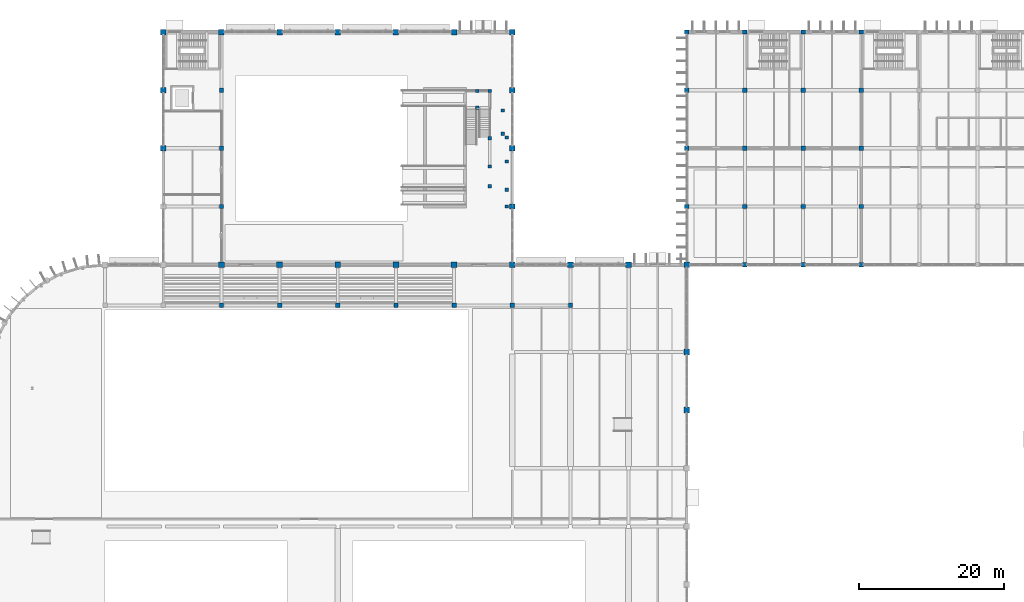
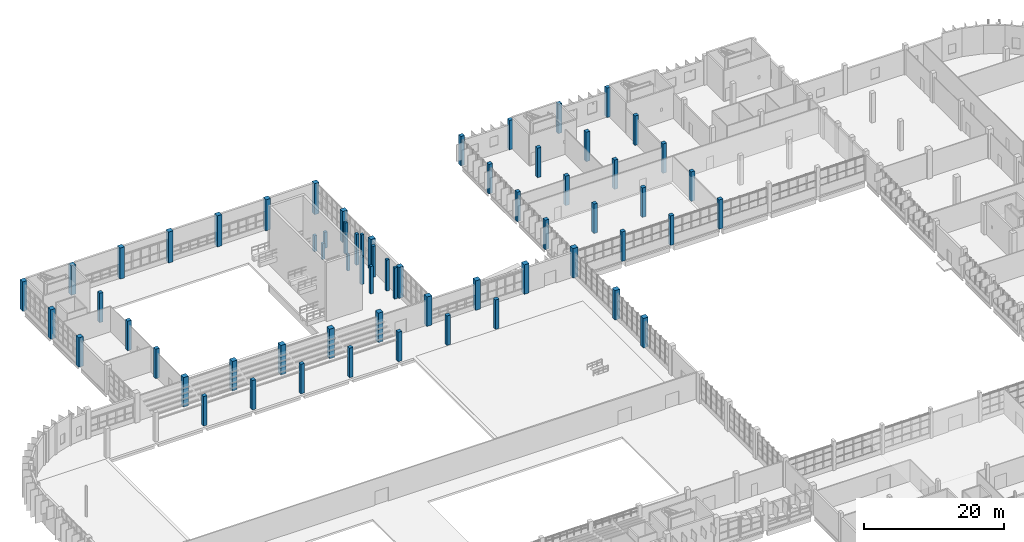
# One storey, part 8 of 103: 64 columns.
"""IFC4 building model written with IfcOpenShell, lengths in metres."""

from ifc_helpers import new_model, si_unit, direction, frame, origin, origin_2d, place, context, subcontext, project, spatial, rectangle, extrude, material, material_profile, profile_set, type_object, element, save


model = new_model("IFC4")

# Units and contexts
model_context = context("Model", 3, precision=1e-05, world=origin(), true_north=direction((0.0, 1.0)))
body_context = subcontext(model_context, "Body", "Model", "MODEL_VIEW")
ifc_project = project(units=[si_unit("LENGTHUNIT", "METRE"), si_unit("AREAUNIT", "SQUARE_METRE"), si_unit("VOLUMEUNIT", "CUBIC_METRE"), si_unit("PLANEANGLEUNIT", "RADIAN"), si_unit("MASSUNIT", "GRAM", prefix="KILO")], contexts=[model_context])

# Site, building, storey
site_placement = place(None, origin())
site = spatial("IfcSite", under=ifc_project, at=site_placement, CompositionType="ELEMENT")
building_placement = place(site_placement, origin())
building = spatial("IfcBuilding", under=site, at=building_placement, Name="Drelvana Railside Aquatics Centre", CompositionType="ELEMENT")
storey_placement = place(building_placement, origin())
storey = spatial("IfcBuildingStorey", under=building, at=storey_placement, Name="L00", CompositionType="ELEMENT", Elevation=0.0)

# Columns
ifc_material = material(Name="Concrete C40/50", Category="concrete")
ifc_material_profile_1 = material_profile(ifc_material, rectangle(XDim=0.449951171875, YDim=0.449951171875, at=origin_2d()), Name="RC 450x450")
ifc_profile_set_1 = profile_set([ifc_material_profile_1], Name="Concrete C40/50")
column_type_1 = type_object("IfcColumnType", Name="STR-COL-RC-450x450", PredefinedType="COLUMN", material=ifc_profile_set_1)
for number, where, z_axis, x_axis, name in (
    (1, (67.199951171875, 105.60009765625, 0.0), (0.0, 0.0, 1.0), (1.0, 0.0, 0.0), "Column C-01 (L00)"),
    (2, (67.199951171875, 107.89990234375, 0.0), (0.0, 0.0, 1.0), (1.0, 0.0, 0.0), "Column C-01 (L00)"),
    (3, (68.89990234375, 101.39990234375, 0.0), (0.0, 0.0, 1.0), (1.0, 0.0, 0.0), "Column C-01 (L00)"),
    (4, (68.89990234375, 107.89990234375, 0.0), (0.0, 0.0, 1.0), (1.0, 0.0, 0.0), "Column C-01 (L00)"),
):
    element("IfcColumn", number, at=place(storey_placement, frame(where, z_axis=z_axis, x_axis=x_axis)), inside=storey, type_object=column_type_1, Name=name, PredefinedType="COLUMN", context=body_context, shape_type="SweptSolid", body=[
        extrude(rectangle(XDim=0.449951171875, YDim=0.449951171875, at=origin_2d()), origin(), (0.0, 0.0, 1.0), 2.780029296875),
    ])
for number, where, z_axis, x_axis, name in (
    (5, (68.89990234375, 94.800048828125, 0.0), (0.0, 0.0, 1.0), (1.0, 0.0, 0.0), "Column C-01 (L00)"),
    (6, (68.89990234375, 97.5, 0.0), (0.0, 0.0, 1.0), (1.0, 0.0, 0.0), "Column C-01 (L00)"),
):
    element("IfcColumn", number, at=place(storey_placement, frame(where, z_axis=z_axis, x_axis=x_axis)), inside=storey, type_object=column_type_1, Name=name, PredefinedType="COLUMN", context=body_context, shape_type="SweptSolid", body=[
        extrude(rectangle(XDim=0.449951171875, YDim=0.449951171875, at=origin_2d()), origin(), (0.0, 0.0, 1.0), 4.780029296875),
    ])
for number, where, z_axis, x_axis, name in (
    (7, (70.699951171875, 102.0, 0.0), (0.0, 0.0, 1.0), (1.0, 0.0, 0.0), "Column C-01 (L00)"),
    (8, (70.699951171875, 105.199951171875, 0.0), (0.0, 0.0, 1.0), (1.0, 0.0, 0.0), "Column C-01 (L00)"),
    (9, (71.25, 92.0, 0.0), (0.0, 0.0, 1.0), (1.0, 0.0, 0.0), "Diving stair east carrier column 92.0 (L00)"),
    (10, (71.25, 94.300048828125, 0.0), (0.0, 0.0, 1.0), (1.0, 0.0, 0.0), "Diving stair east carrier column 94.3 (L00)"),
    (11, (71.25, 98.199951171875, 0.0), (0.0, 0.0, 1.0), (1.0, 0.0, 0.0), "Diving stair east carrier column 98.2 (L00)"),
    (12, (71.25, 101.5, 0.0), (0.0, 0.0, 1.0), (1.0, 0.0, 0.0), "Diving stair east carrier column 101.5 (L00)"),
):
    element("IfcColumn", number, at=place(storey_placement, frame(where, z_axis=z_axis, x_axis=x_axis)), inside=storey, type_object=column_type_1, Name=name, PredefinedType="COLUMN", context=body_context, shape_type="SweptSolid", body=[
        extrude(rectangle(XDim=0.449951171875, YDim=0.449951171875, at=origin_2d()), origin(), (0.0, 0.0, 1.0), 5.39990234375),
    ])
ifc_material_profile_2 = material_profile(ifc_material, rectangle(XDim=0.60009765625, YDim=0.60009765625, at=origin_2d()), Name="RC 600x600")
ifc_profile_set_2 = profile_set([ifc_material_profile_2], Name="Concrete C40/50")
column_type_2 = type_object("IfcColumnType", Name="STR-COL-RC-600x600", PredefinedType="COLUMN", material=ifc_profile_set_2)
for number, where, z_axis, x_axis, name in (
    (13, (32.0, 78.39990234375, 0.0), (0.0, 0.0, 1.0), (1.0, 0.0, 0.0), "Column C-04 (L00)"),
    (14, (40.0, 78.39990234375, 0.0), (0.0, 0.0, 1.0), (1.0, 0.0, 0.0), "Column C-04 (L00)"),
    (15, (48.0, 78.39990234375, 0.0), (0.0, 0.0, 1.0), (1.0, 0.0, 0.0), "Column C-04 (L00)"),
    (16, (56.0, 78.39990234375, 0.0), (0.0, 0.0, 1.0), (1.0, 0.0, 0.0), "Column C-04 (L00)"),
    (17, (64.0, 78.39990234375, 0.0), (0.0, 0.0, 1.0), (1.0, 0.0, 0.0), "Column C-04 (L00)"),
    (18, (72.0, 78.39990234375, 0.0), (0.0, 0.0, 1.0), (1.0, 0.0, 0.0), "Column C-04 (L00)"),
    (19, (80.0, 78.39990234375, 0.0), (0.0, 0.0, 1.0), (1.0, 0.0, 0.0), "Column C-04 (L00)"),
    (20, (32.0, 92.0, 0.0), (0.0, 0.0, 1.0), (1.0, 0.0, 0.0), "Column C-04 (L00)"),
    (21, (32.0, 100.0, 0.0), (0.0, 0.0, 1.0), (1.0, 0.0, 0.0), "Column C-04 (L00)"),
    (22, (32.0, 108.0, 0.0), (0.0, 0.0, 1.0), (1.0, 0.0, 0.0), "Column C-04 (L00)"),
    (23, (96.0, 92.0, 0.0), (0.0, 0.0, 1.0), (1.0, 0.0, 0.0), "Column C-04 (L00)"),
    (24, (96.0, 100.0, 0.0), (0.0, 0.0, 1.0), (1.0, 0.0, 0.0), "Column C-04 (L00)"),
    (25, (96.0, 108.0, 0.0), (0.0, 0.0, 1.0), (1.0, 0.0, 0.0), "Column C-04 (L00)"),
    (26, (96.0, 116.0, 0.0), (0.0, 0.0, 1.0), (1.0, 0.0, 0.0), "Column C-04 (L00)"),
    (27, (104.0, 84.0, 0.0), (0.0, 0.0, 1.0), (1.0, 0.0, 0.0), "Column C-04 (L00)"),
    (28, (104.0, 92.0, 0.0), (0.0, 0.0, 1.0), (1.0, 0.0, 0.0), "Column C-04 (L00)"),
    (29, (104.0, 100.0, 0.0), (0.0, 0.0, 1.0), (1.0, 0.0, 0.0), "Column C-04 (L00)"),
    (30, (104.0, 108.0, 0.0), (0.0, 0.0, 1.0), (1.0, 0.0, 0.0), "Column C-04 (L00)"),
    (31, (104.0, 116.0, 0.0), (0.0, 0.0, 1.0), (1.0, 0.0, 0.0), "Column C-04 (L00)"),
    (32, (112.0, 84.0, 0.0), (0.0, 0.0, 1.0), (1.0, 0.0, 0.0), "Column C-04 (L00)"),
    (33, (112.0, 92.0, 0.0), (0.0, 0.0, 1.0), (1.0, 0.0, 0.0), "Column C-04 (L00)"),
    (34, (112.0, 100.0, 0.0), (0.0, 0.0, 1.0), (1.0, 0.0, 0.0), "Column C-04 (L00)"),
    (35, (112.0, 108.0, 0.0), (0.0, 0.0, 1.0), (1.0, 0.0, 0.0), "Column C-04 (L00)"),
    (36, (112.0, 116.0, 0.0), (0.0, 0.0, 1.0), (1.0, 0.0, 0.0), "Column C-04 (L00)"),
    (37, (120.0, 84.0, 0.0), (0.0, 0.0, 1.0), (1.0, 0.0, 0.0), "Column C-04 (L00)"),
    (38, (120.0, 92.0, 0.0), (0.0, 0.0, 1.0), (1.0, 0.0, 0.0), "Column C-04 (L00)"),
    (39, (120.0, 100.0, 0.0), (0.0, 0.0, 1.0), (1.0, 0.0, 0.0), "Column C-04 (L00)"),
    (40, (120.0, 108.0, 0.0), (0.0, 0.0, 1.0), (1.0, 0.0, 0.0), "Column C-04 (L00)"),
    (41, (120.0, 116.0, 0.0), (0.0, 0.0, 1.0), (1.0, 0.0, 0.0), "Column C-04 (L00)"),
):
    element("IfcColumn", number, at=place(storey_placement, frame(where, z_axis=z_axis, x_axis=x_axis)), inside=storey, type_object=column_type_2, Name=name, PredefinedType="COLUMN", context=body_context, shape_type="SweptSolid", body=[
        extrude(rectangle(XDim=0.60009765625, YDim=0.60009765625, at=origin_2d()), origin(), (0.0, 0.0, 1.0), 5.125),
    ])
ifc_material_profile_3 = material_profile(ifc_material, rectangle(XDim=0.75, YDim=0.75, at=origin_2d()), Name="RC 750x750")
ifc_profile_set_3 = profile_set([ifc_material_profile_3], Name="Concrete C40/50")
column_type_3 = type_object("IfcColumnType", Name="STR-COL-RC-750x750", PredefinedType="COLUMN", material=ifc_profile_set_3)
for number, where, z_axis, x_axis, name in (
    (42, (24.0, 116.0, 0.0), (0.0, 0.0, 1.0), (1.0, 0.0, 0.0), "Column C-07 (L00)"),
    (43, (32.0, 116.0, 0.0), (0.0, 0.0, 1.0), (1.0, 0.0, 0.0), "Column C-07 (L00)"),
):
    element("IfcColumn", number, at=place(storey_placement, frame(where, z_axis=z_axis, x_axis=x_axis)), inside=storey, type_object=column_type_3, Name=name, PredefinedType="COLUMN", context=body_context, shape_type="SweptSolid", body=[
        extrude(rectangle(XDim=0.75, YDim=0.75, at=origin_2d()), origin(), (0.0, 0.0, 1.0), 5.125),
    ])
for number, where, z_axis, x_axis, name in (
    (44, (40.0, 116.0, 0.0), (0.0, 0.0, 1.0), (1.0, 0.0, 0.0), "Column C-07 (L00)"),
    (45, (48.0, 116.0, 0.0), (0.0, 0.0, 1.0), (1.0, 0.0, 0.0), "Column C-07 (L00)"),
    (46, (56.0, 116.0, 0.0), (0.0, 0.0, 1.0), (1.0, 0.0, 0.0), "Column C-07 (L00)"),
    (47, (64.0, 116.0, 0.0), (0.0, 0.0, 1.0), (1.0, 0.0, 0.0), "Column C-07 (L00)"),
    (48, (72.0, 116.0, 0.0), (0.0, 0.0, 1.0), (1.0, 0.0, 0.0), "Column C-07 (L00)"),
    (49, (72.0, 92.0, 0.0), (0.0, 0.0, 1.0), (1.0, 0.0, 0.0), "Column C-07 (L00)"),
):
    element("IfcColumn", number, at=place(storey_placement, frame(where, z_axis=z_axis, x_axis=x_axis)), inside=storey, type_object=column_type_3, Name=name, PredefinedType="COLUMN", context=body_context, shape_type="SweptSolid", body=[
        extrude(rectangle(XDim=0.75, YDim=0.75, at=origin_2d()), origin(), (0.0, 0.0, 1.0), 5.39990234375),
    ])
column_1_placement = place(storey_placement, frame((24.0, 100.0, 0.0), z_axis=(0.0, 0.0, 1.0), x_axis=(1.0, 0.0, 0.0)))
element("IfcColumn", 50, at=column_1_placement, inside=storey, type_object=column_type_3, Name="Column C-07 (L00)", PredefinedType="COLUMN", context=body_context, shape_type="SweptSolid", body=[
    extrude(rectangle(XDim=0.75, YDim=0.75, at=origin_2d()), origin(), (0.0, 0.0, 1.0), 5.125),
])
column_2_placement = place(storey_placement, frame((72.0, 100.0, 0.0), z_axis=(0.0, 0.0, 1.0), x_axis=(1.0, 0.0, 0.0)))
element("IfcColumn", 51, at=column_2_placement, inside=storey, type_object=column_type_3, Name="Column C-07 (L00)", PredefinedType="COLUMN", context=body_context, shape_type="SweptSolid", body=[
    extrude(rectangle(XDim=0.75, YDim=0.75, at=origin_2d()), origin(), (0.0, 0.0, 1.0), 5.39990234375),
])
column_3_placement = place(storey_placement, frame((24.0, 108.0, 0.0), z_axis=(0.0, 0.0, 1.0), x_axis=(1.0, 0.0, 0.0)))
element("IfcColumn", 52, at=column_3_placement, inside=storey, type_object=column_type_3, Name="Column C-07 (L00)", PredefinedType="COLUMN", context=body_context, shape_type="SweptSolid", body=[
    extrude(rectangle(XDim=0.75, YDim=0.75, at=origin_2d()), origin(), (0.0, 0.0, 1.0), 5.125),
])
column_4_placement = place(storey_placement, frame((72.0, 108.0, 0.0), z_axis=(0.0, 0.0, 1.0), x_axis=(1.0, 0.0, 0.0)))
element("IfcColumn", 53, at=column_4_placement, inside=storey, type_object=column_type_3, Name="Column C-07 (L00)", PredefinedType="COLUMN", context=body_context, shape_type="SweptSolid", body=[
    extrude(rectangle(XDim=0.75, YDim=0.75, at=origin_2d()), origin(), (0.0, 0.0, 1.0), 5.39990234375),
])
ifc_material_profile_4 = material_profile(ifc_material, rectangle(XDim=0.800048828125, YDim=0.800048828125, at=origin_2d()), Name="RC 800x800")
ifc_profile_set_4 = profile_set([ifc_material_profile_4], Name="Concrete C40/50")
column_type_4 = type_object("IfcColumnType", Name="STR-COL-RC-800x800", PredefinedType="COLUMN", material=ifc_profile_set_4)
for number, where, z_axis, x_axis, name in (
    (54, (32.0, 84.0, 0.0), (0.0, 0.0, 1.0), (1.0, 0.0, 0.0), "Column C-08 (L00)"),
    (55, (40.0, 84.0, 0.0), (0.0, 0.0, 1.0), (1.0, 0.0, 0.0), "Column C-08 (L00)"),
    (56, (48.0, 84.0, 0.0), (0.0, 0.0, 1.0), (1.0, 0.0, 0.0), "Column C-08 (L00)"),
    (57, (56.0, 84.0, 0.0), (0.0, 0.0, 1.0), (1.0, 0.0, 0.0), "Column C-08 (L00)"),
    (58, (64.0, 84.0, 0.0), (0.0, 0.0, 1.0), (1.0, 0.0, 0.0), "Column C-08 (L00)"),
    (59, (72.0, 84.0, 0.0), (0.0, 0.0, 1.0), (1.0, 0.0, 0.0), "Column C-08 (L00)"),
    (60, (80.0, 84.0, 0.0), (0.0, 0.0, 1.0), (1.0, 0.0, 0.0), "Column C-08 (L00)"),
    (61, (88.0, 84.0, 0.0), (0.0, 0.0, 1.0), (1.0, 0.0, 0.0), "Column C-08 (L00)"),
    (62, (96.0, 84.0, 0.0), (0.0, 0.0, 1.0), (1.0, 0.0, 0.0), "Column C-08 (L00)"),
    (63, (96.0, 64.0, 0.0), (0.0, 0.0, 1.0), (1.0, 0.0, 0.0), "Column C-08 (L00)"),
    (64, (96.0, 72.0, 0.0), (0.0, 0.0, 1.0), (1.0, 0.0, 0.0), "Column C-08 (L00)"),
):
    element("IfcColumn", number, at=place(storey_placement, frame(where, z_axis=z_axis, x_axis=x_axis)), inside=storey, type_object=column_type_4, Name=name, PredefinedType="COLUMN", context=body_context, shape_type="SweptSolid", body=[
        extrude(rectangle(XDim=0.800048828125, YDim=0.800048828125, at=origin_2d()), origin(), (0.0, 0.0, 1.0), 5.125),
    ])

save(model, "model.ifc")
